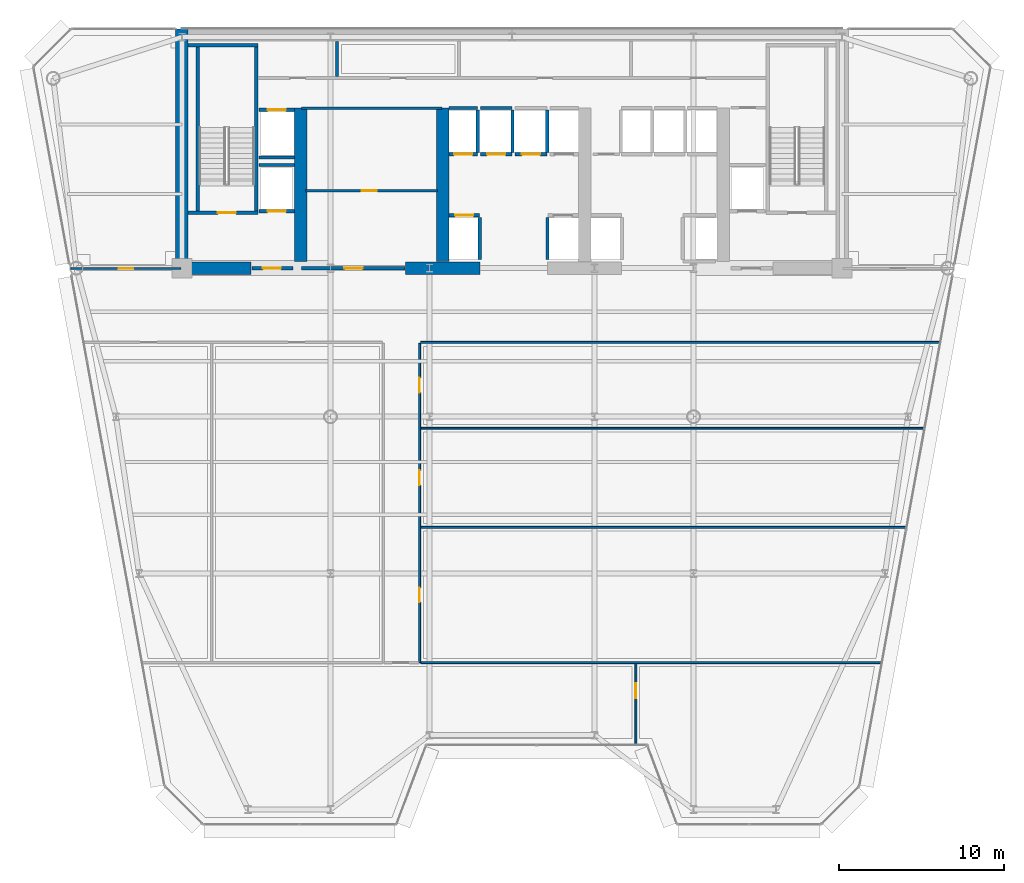
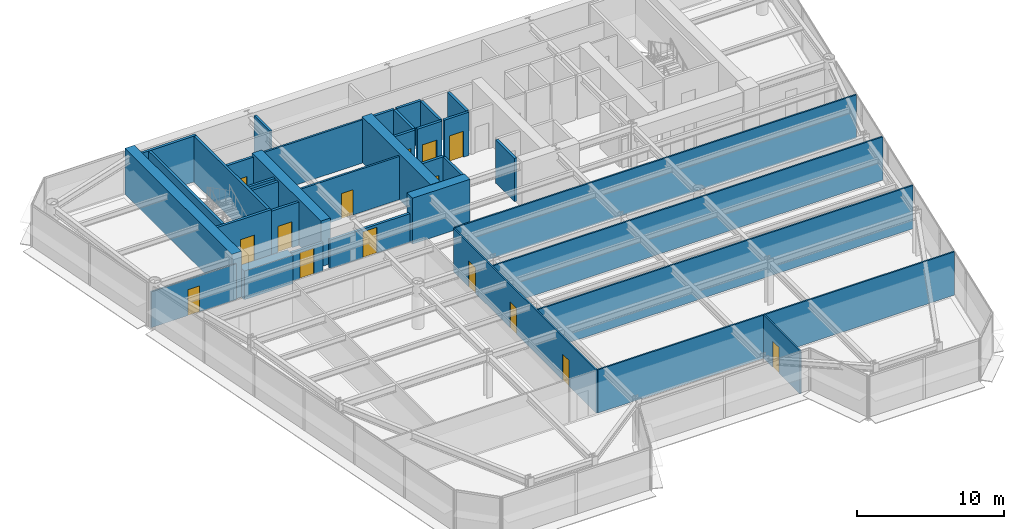
# One storey, part 11 of 17: 36 walls, 15 doors, 15 openings.
"""IFC4 building model written with IfcOpenShell, lengths in metres."""

import ifcopenshell
import ifcopenshell.guid

model = None  # the IFC model being written
_history = None  # IfcOwnerHistory: only IFC2X3 demands one
_inside = {}  # id of a spatial element -> (the spatial element, [elements in it])
_under = {}  # id of a project, library or spatial element -> (it, [spatial elements below it])
_declared = {}  # id of a project -> (the project, [libraries it declares])
_typed = {}  # id of a type object -> (the type object, [elements of that type])
_made_of = {}  # id of a material, layer set ... -> (it, [elements and type objects made of it])


def new_model(schema):
    """Start an empty IFC model of exactly this schema.

    Asked for "IFC4X3", IfcOpenShell would pick the latest addendum, in which some entities
    have other attributes; the version numbers below select the first issue.
    IFC2X3 requires an IfcOwnerHistory on every rooted entity: one is made here for all.
    """
    global model, _history
    if schema == "IFC4X3":
        model = ifcopenshell.file(schema_version=(4, 3, 0, 0))
    else:
        model = ifcopenshell.file(schema=schema)
    _inside.clear()
    _under.clear()
    _declared.clear()
    _typed.clear()
    _made_of.clear()
    _history = None
    if model.schema == "IFC2X3":
        org = make("IfcOrganization", Name="unknown")
        user = make(
            "IfcPersonAndOrganization",
            ThePerson=make("IfcPerson", FamilyName="unknown"),
            TheOrganization=org,
        )
        app = make(
            "IfcApplication",
            ApplicationDeveloper=org,
            Version="unknown",
            ApplicationFullName="unknown",
            ApplicationIdentifier="unknown",
        )
        _history = make(
            "IfcOwnerHistory",
            OwningUser=user,
            OwningApplication=app,
            ChangeAction="ADDED",
            CreationDate=0,
        )
    return model


def make(cls, **values):
    """One entity of the class cls with the attributes given. An attribute that is None is left unset."""
    return model.create_entity(
        cls, **{name: value for name, value in values.items() if value is not None}
    )


def rooted(cls, **values):
    """An entity with a GlobalId (a new one), such as an element, a storey or a relation."""
    return make(cls, GlobalId=ifcopenshell.guid.new(), OwnerHistory=_history, **values)


def si_unit(unit_type, name, prefix=None):
    """IfcSIUnit, for example si_unit("LENGTHUNIT", "METRE", prefix="MILLI")."""
    return make("IfcSIUnit", UnitType=unit_type, Prefix=prefix, Name=name)


def assignment(units):
    """IfcUnitAssignment: the units of a project."""
    return None if units is None else make("IfcUnitAssignment", Units=units)


def point(xyz):
    """IfcCartesianPoint."""
    return None if xyz is None else make("IfcCartesianPoint", Coordinates=xyz)


def direction(xyz):
    """IfcDirection."""
    return None if xyz is None else make("IfcDirection", DirectionRatios=xyz)


def frame(location, z_axis=None, x_axis=None):
    """IfcAxis2Placement3D, a coordinate frame: its origin and axes. An axis left out is left unset."""
    return make(
        "IfcAxis2Placement3D",
        Location=point(location),
        Axis=direction(z_axis),
        RefDirection=direction(x_axis),
    )


def frame_2d(location, x_axis=None):
    """IfcAxis2Placement2D, a coordinate frame in the plane: its origin and x axis."""
    return make(
        "IfcAxis2Placement2D", Location=point(location), RefDirection=direction(x_axis)
    )


def origin():
    """The frame at (0, 0, 0) with its axes left unset."""
    return frame((0.0, 0.0, 0.0))


def place(relative_to, where):
    """IfcLocalPlacement: puts the frame where relative to a parent placement (None: the world)."""
    return make(
        "IfcLocalPlacement", PlacementRelTo=relative_to, RelativePlacement=where
    )


def context(
    kind, dimensions, precision=None, world=None, true_north=None, identifier=None
):
    """IfcGeometricRepresentationContext, for example the 3D "Model" context."""
    return make(
        "IfcGeometricRepresentationContext",
        ContextIdentifier=identifier,
        ContextType=kind,
        CoordinateSpaceDimension=dimensions,
        Precision=precision,
        WorldCoordinateSystem=world,
        TrueNorth=true_north,
    )


def subcontext(parent, identifier, kind, view, scale=None):
    """IfcGeometricRepresentationSubContext, for example "Body" below "Model"."""
    return make(
        "IfcGeometricRepresentationSubContext",
        ContextIdentifier=identifier,
        ContextType=kind,
        ParentContext=parent,
        TargetScale=scale,
        TargetView=view,
    )


def project(units=None, contexts=None):
    """IfcProject with its units and contexts."""
    return rooted(
        "IfcProject",
        Name="project",
        RepresentationContexts=contexts,
        UnitsInContext=assignment(units),
    )


def spatial(cls, under=None, at=None, **own):
    """A site, building, storey or space (cls), placed at a placement, below another one or the project."""
    s = rooted(cls, ObjectPlacement=at, **own)
    if under is not None:
        _under.setdefault(under.id(), (under, []))[1].append(s)
    return s


def profile(cls, at=None, kind="AREA", **sizes):
    """A parametric profile (cls). Its sizes go by their IFC names, for example OverallWidth=200.0."""
    return make(cls, ProfileType=kind, Position=at, **sizes)


def rectangle(**sizes):
    """IfcRectangleProfileDef."""
    return profile("IfcRectangleProfileDef", **sizes)


def extrude(swept, where, along, depth):
    """IfcExtrudedAreaSolid: the profile swept, set in the frame where, extruded along a direction by depth."""
    return make(
        "IfcExtrudedAreaSolid",
        SweptArea=swept,
        Position=where,
        ExtrudedDirection=direction(along),
        Depth=depth,
    )


def shape(context_of_items, identifier, shape_type, items):
    """IfcShapeRepresentation: the items that make up one representation, for example the "Body"."""
    return make(
        "IfcShapeRepresentation",
        ContextOfItems=context_of_items,
        RepresentationIdentifier=identifier,
        RepresentationType=shape_type,
        Items=items,
    )


def source(mapping_origin, context_of_items, identifier, shape_type, items):
    """IfcRepresentationMap: a shape defined once, which mapped items show again and again."""
    return make(
        "IfcRepresentationMap",
        MappingOrigin=mapping_origin,
        MappedRepresentation=shape(context_of_items, identifier, shape_type, items),
    )


def transform(
    local_origin,
    x_axis=None,
    y_axis=None,
    z_axis=None,
    scale=None,
    scale2=None,
    scale3=None,
    uniform=True,
):
    """IfcCartesianTransformationOperator3D, or its non-uniform kind. x_axis, y_axis, z_axis: its Axis1, 2, 3."""
    if uniform:
        return make(
            "IfcCartesianTransformationOperator3D",
            Axis1=direction(x_axis),
            Axis2=direction(y_axis),
            LocalOrigin=point(local_origin),
            Scale=scale,
            Axis3=direction(z_axis),
        )
    return make(
        "IfcCartesianTransformationOperator3DnonUniform",
        Axis1=direction(x_axis),
        Axis2=direction(y_axis),
        LocalOrigin=point(local_origin),
        Scale=scale,
        Axis3=direction(z_axis),
        Scale2=scale2,
        Scale3=scale3,
    )


def mapped(mapping_source, mapping_target):
    """IfcMappedItem: shows the shape of a source again, moved by a transform."""
    return make(
        "IfcMappedItem", MappingSource=mapping_source, MappingTarget=mapping_target
    )


def material(Name=None, Category=None):
    """IfcMaterial."""
    return make("IfcMaterial", Name=Name, Category=Category)


def layer(
    of_material, thickness, ventilated=None, Name=None, Category=None, Priority=None
):
    """IfcMaterialLayer: one layer of a wall or slab, of a material (None: an air gap)."""
    return make(
        "IfcMaterialLayer",
        Material=of_material,
        LayerThickness=thickness,
        IsVentilated=ventilated,
        Name=Name,
        Category=Category,
        Priority=Priority,
    )


def layer_set(layers, Name=None):
    """IfcMaterialLayerSet."""
    return make("IfcMaterialLayerSet", MaterialLayers=layers, LayerSetName=Name)


def made_of(thing, what):
    """Note that an element or type object is made of a material, layer set ...; save() writes the relation."""
    if what is not None:
        _made_of.setdefault(what.id(), (what, []))[1].append(thing)
    return thing


def type_object(cls, material=None, **own):
    """A type object (cls), such as IfcWallType, which elements share."""
    return made_of(rooted(cls, **own), material)


def element(
    cls,
    number,
    at=None,
    inside=None,
    cuts=None,
    type_object=None,
    material=None,
    context=None,
    identifier="Body",
    shape_type=None,
    held_by="IfcProductDefinitionShape",
    body=None,
    shapes=None,
    **own,
):
    """One element of the class cls, such as IfcWall. Its Tag is "e" and its number.

    at: its placement. inside: the storey or other place that contains it. cuts: it is an
    opening in that element (IfcRelVoidsElement). A single representation is given by context,
    identifier, shape_type and body (its items); several are given by shapes. held_by: the class
    of the entity that holds the representations. save() writes the other relations.
    """
    e = rooted(cls, Tag="e%d" % number, ObjectPlacement=at, **own)
    if body is not None:
        shapes = [shape(context, identifier, shape_type, body)]
    if shapes is not None:
        e.Representation = make(held_by, Representations=shapes)
    if inside is not None:
        _inside.setdefault(inside.id(), (inside, []))[1].append(e)
    if cuts is not None:
        rooted(
            "IfcRelVoidsElement", RelatingBuildingElement=cuts, RelatedOpeningElement=e
        )
    if type_object is not None:
        _typed.setdefault(type_object.id(), (type_object, []))[1].append(e)
    return made_of(e, material)


def fill(opening, filler):
    """IfcRelFillsElement: the door or window that sits in an opening."""
    return rooted(
        "IfcRelFillsElement",
        RelatingOpeningElement=opening,
        RelatedBuildingElement=filler,
    )


def aggregate(whole, parts):
    """IfcRelAggregates: a whole, such as a stair, and the parts it consists of."""
    return rooted("IfcRelAggregates", RelatingObject=whole, RelatedObjects=parts)


def save(model, path):
    """Write the relations noted so far, then the file.

    IfcRelAggregates (storeys below a building ...), IfcRelContainedInSpatialStructure (elements
    in a storey), IfcRelDefinesByType, IfcRelAssociatesMaterial and IfcRelDeclares: one each for
    every whole, place, type object, material and project.
    """
    for whole, parts in _under.values():
        aggregate(whole, parts)
    for where, things in _inside.values():
        rooted(
            "IfcRelContainedInSpatialStructure",
            RelatedElements=things,
            RelatingStructure=where,
        )
    for kind, things in _typed.values():
        rooted("IfcRelDefinesByType", RelatedObjects=things, RelatingType=kind)
    for what, things in _made_of.values():
        rooted("IfcRelAssociatesMaterial", RelatedObjects=things, RelatingMaterial=what)
    for by, libraries in _declared.values():
        rooted("IfcRelDeclares", RelatingContext=by, RelatedDefinitions=libraries)
    model.write(path)


model = new_model("IFC4")

# Units and contexts
model_context = context("Model", 3, precision=1e-05, world=origin(), true_north=direction((0.0, 1.0)))
body_context = subcontext(model_context, "Body", "Model", "MODEL_VIEW")
ifc_project = project(units=[si_unit("LENGTHUNIT", "METRE"), si_unit("AREAUNIT", "SQUARE_METRE"), si_unit("VOLUMEUNIT", "CUBIC_METRE"), si_unit("PLANEANGLEUNIT", "RADIAN"), si_unit("MASSUNIT", "GRAM", prefix="KILO")], contexts=[model_context])

# Site, building, storey
site_placement = place(None, origin())
site = spatial("IfcSite", under=ifc_project, at=site_placement, CompositionType="ELEMENT")
building_placement = place(site_placement, origin())
building = spatial("IfcBuilding", under=site, at=building_placement, Name="Vaeldorn Concourse Tower", CompositionType="ELEMENT")
storey_placement = place(building_placement, frame((0.0, 0.0, 161.39990234375)))
storey = spatial("IfcBuildingStorey", under=building, at=storey_placement, Name="L41", CompositionType="ELEMENT", Elevation=161.39990234375)

# Walls
ifc_material_1 = material(Name="Concrete C60/75", Category="concrete")
ifc_layer_1 = layer(ifc_material_1, 0.75)
ifc_layer_set_1 = layer_set([ifc_layer_1], Name="Concrete C60/75")
wall_type_1 = type_object("IfcWallType", Name="WL-CORE-750", PredefinedType="SHEAR", material=ifc_layer_set_1)
wall_1_placement = place(storey_placement, frame((14.0, 36.5, 0.0), z_axis=(0.0, 0.0, 1.0), x_axis=(0.0, 1.0, 0.0)))
element("IfcWall", 1, at=wall_1_placement, inside=storey, type_object=wall_type_1, Name="Rear Core Shear Wall L41 W1", PredefinedType="SHEAR", context=body_context, shape_type="SweptSolid", body=[
    extrude(rectangle(XDim=14.5, YDim=0.75, at=frame_2d((7.25, 0.0))), origin(), (0.0, 0.0, 1.0), 3.800048828125),
])
wall_2_placement = place(storey_placement, frame((14.39501953125, 36.5, 0.0), z_axis=(0.0, 0.0, 1.0), x_axis=(1.0, 0.0, 0.0)))
element("IfcWall", 2, at=wall_2_placement, inside=storey, type_object=wall_type_1, Name="Rear Core Shear Wall L41 S1", PredefinedType="SHEAR", context=body_context, shape_type="SweptSolid", body=[
    extrude(rectangle(XDim=3.804931640625, YDim=0.75, at=frame_2d((1.90234375, 0.0))), origin(), (0.0, 0.0, 1.0), 2.380126953125),
])
wall_3_placement = place(storey_placement, frame((27.550048828125, 36.5, 0.0), z_axis=(0.0, 0.0, 1.0), x_axis=(1.0, 0.0, 0.0)))
element("IfcWall", 3, at=wall_3_placement, inside=storey, type_object=wall_type_1, Name="Rear Core Shear Wall L41 S2", PredefinedType="SHEAR", context=body_context, shape_type="SweptSolid", body=[
    extrude(rectangle(XDim=4.5, YDim=0.75, at=frame_2d((2.25, 0.0))), origin(), (0.0, 0.0, 1.0), 3.800048828125),
])
for number, where, z_axis, x_axis, name in (
    (4, (21.199951171875, 36.89501953125, 0.0), (0.0, 0.0, 1.0), (0.0, 1.0, 0.0), "Rear Core Shear Wall L41 M1"),
    (5, (29.800048828125, 36.89501953125, 0.0), (0.0, 0.0, 1.0), (0.0, 1.0, 0.0), "Rear Core Shear Wall L41 M2"),
):
    element("IfcWall", number, at=place(storey_placement, frame(where, z_axis=z_axis, x_axis=x_axis)), inside=storey, type_object=wall_type_1, Name=name, PredefinedType="SHEAR", context=body_context, shape_type="SweptSolid", body=[
        extrude(rectangle(XDim=9.304931640625, YDim=0.75, at=frame_2d((4.65234375, 0.0))), origin(), (0.0, 0.0, 1.0), 3.800048828125),
    ])
ifc_material_2 = material(Name="Gypsum Board Partition", Category="gypsum")
ifc_layer_2 = layer(ifc_material_2, 0.1201171875)
ifc_layer_set_2 = layer_set([ifc_layer_2], Name="Gypsum Board Partition")
wall_type_2 = type_object("IfcWallType", Name="WL-PART-120", PredefinedType="PARTITIONING", material=ifc_layer_set_2)
wall_4_placement = place(storey_placement, frame((28.4599609375, 32.0, 0.0), z_axis=(0.0, 0.0, 1.0), x_axis=(1.0, 0.0, 0.0)))
element("IfcWall", 6, at=wall_4_placement, inside=storey, type_object=wall_type_2, Name="Interior Wall PW-L41-C2SE", PredefinedType="PARTITIONING", context=body_context, shape_type="SweptSolid", body=[
    extrude(rectangle(XDim=31.453857421875, YDim=0.1201171875, at=frame_2d((15.72705078125, 0.0))), origin(), (0.0, 0.0, 1.0), 3.580078125),
])

# Wall, openings, doors
wall_5_placement = place(storey_placement, frame((28.39990234375, 12.60009765625, 0.0), z_axis=(0.0, 0.0, 1.0), x_axis=(0.0, 1.0, 0.0)))
wall_5 = element("IfcWall", 7, at=wall_5_placement, inside=storey, type_object=wall_type_2, Name="Interior Wall PW-L41-SP2E", PredefinedType="PARTITIONING", context=body_context, shape_type="SweptSolid", body=[
    extrude(rectangle(XDim=19.33984375, YDim=0.1201171875, at=frame_2d((9.669921875, 0.0))), origin(), (0.0, 0.0, 1.0), 3.580078125),
])
opening_1_placement = place(wall_5_placement, frame((3.64990234375, 0.0, 0.0)))
opening_1 = element("IfcOpeningElement", 8, at=opening_1_placement, cuts=wall_5, Name="Opening D-03", PredefinedType="OPENING", context=body_context, shape_type="SweptSolid", body=[
    extrude(rectangle(XDim=0.89990234375, YDim=2.14990234375, at=frame_2d((0.449951171875, 1.074951171875))), frame((0.0, 0.070068359375, 0.0), z_axis=(0.0, -1.0, 0.0), x_axis=(1.0, 0.0, 0.0)), (0.0, 0.0, 1.0), 0.14013671875),
])
opening_2_placement = place(wall_5_placement, frame((10.75, 0.0, 0.0)))
opening_2 = element("IfcOpeningElement", 9, at=opening_2_placement, cuts=wall_5, Name="Opening D-03", PredefinedType="OPENING", context=body_context, shape_type="SweptSolid", body=[
    extrude(rectangle(XDim=0.89990234375, YDim=2.14990234375, at=frame_2d((0.449951171875, 1.074951171875))), frame((0.0, 0.070068359375, 0.0), z_axis=(0.0, -1.0, 0.0), x_axis=(1.0, 0.0, 0.0)), (0.0, 0.0, 1.0), 0.14013671875),
])
opening_3_placement = place(wall_5_placement, frame((16.35009765625, 0.0, 0.0)))
opening_3 = element("IfcOpeningElement", 10, at=opening_3_placement, cuts=wall_5, Name="Opening D-03", PredefinedType="OPENING", context=body_context, shape_type="SweptSolid", body=[
    extrude(rectangle(XDim=0.89990234375, YDim=2.14990234375, at=frame_2d((0.449951171875, 1.074951171875))), frame((0.0, 0.070068359375, 0.0), z_axis=(0.0, -1.0, 0.0), x_axis=(1.0, 0.0, 0.0)), (0.0, 0.0, 1.0), 0.14013671875),
])
ifc_material_3 = material(Name="Acoustic Bronze-Framed Glass Door", Category="glass")
door_type_1 = type_object("IfcDoorType", Name="DR-INT-900", OperationType="NOTDEFINED", PredefinedType="DOOR", material=ifc_material_3)
shared_shape_1 = source(origin(), body_context, "Body", "SweptSolid", [
    extrude(rectangle(XDim=0.89990234375, YDim=2.14990234375, at=frame_2d((0.449951171875, 1.074951171875))), frame((0.0, 0.02490234375, 0.0), z_axis=(0.0, -1.0, 0.0), x_axis=(1.0, 0.0, 0.0)), (0.0, 0.0, 1.0), 0.050048828125),
])
door_1_placement = place(opening_1_placement, origin())
door_1 = element("IfcDoor", 11, at=door_1_placement, inside=storey, type_object=door_type_1, Name="Interior Door DR-L41-Z2E1", OperationType="SINGLE_SWING_RIGHT", OverallHeight=2.14990234375, OverallWidth=0.89990234375, PredefinedType="DOOR", context=body_context, shape_type="MappedRepresentation", body=[
    mapped(shared_shape_1, transform((0.0, 0.0, 0.0), scale=1.0)),
])
fill(opening_1, door_1)
door_2_placement = place(opening_2_placement, origin())
door_2 = element("IfcDoor", 12, at=door_2_placement, inside=storey, type_object=door_type_1, Name="Interior Door DR-L41-Z2E2", OperationType="SINGLE_SWING_LEFT", OverallHeight=2.14990234375, OverallWidth=0.89990234375, PredefinedType="DOOR", context=body_context, shape_type="MappedRepresentation", body=[
    mapped(shared_shape_1, transform((0.0, 0.0, 0.0), scale=1.0)),
])
fill(opening_2, door_2)
door_3_placement = place(opening_3_placement, origin())
door_3 = element("IfcDoor", 13, at=door_3_placement, inside=storey, type_object=door_type_1, Name="Interior Door DR-L41-Z2E3", OperationType="SINGLE_SWING_RIGHT", OverallHeight=2.14990234375, OverallWidth=0.89990234375, PredefinedType="DOOR", context=body_context, shape_type="MappedRepresentation", body=[
    mapped(shared_shape_1, transform((0.0, 0.0, 0.0), scale=1.0)),
])
fill(opening_3, door_3)

# Wall, opening, door
wall_6_placement = place(storey_placement, frame((7.2744140625, 36.47998046875, 0.0), z_axis=(0.0, 0.0, 1.0), x_axis=(1.0, 0.0, 0.0)))
wall_6 = element("IfcWall", 14, at=wall_6_placement, inside=storey, type_object=wall_type_2, Name="Interior Wall PW-L41-NWS", PredefinedType="PARTITIONING", context=body_context, shape_type="SweptSolid", body=[
    extrude(rectangle(XDim=6.66552734375, YDim=0.1201171875, at=frame_2d((3.332763671875, 0.0))), origin(), (0.0, 0.0, 1.0), 2.97021484375),
])
opening_4_placement = place(wall_6_placement, frame((2.883056640625, 0.0, 0.0)))
opening_4 = element("IfcOpeningElement", 15, at=opening_4_placement, cuts=wall_6, Name="Opening D-03", PredefinedType="OPENING", context=body_context, shape_type="SweptSolid", body=[
    extrude(rectangle(XDim=0.89990234375, YDim=2.14990234375, at=frame_2d((0.449951171875, 1.074951171875))), frame((0.0, 0.070068359375, 0.0), z_axis=(0.0, -1.0, 0.0), x_axis=(1.0, 0.0, 0.0)), (0.0, 0.0, 1.0), 0.14013671875),
])
door_4_placement = place(opening_4_placement, origin())
door_4 = element("IfcDoor", 16, at=door_4_placement, inside=storey, type_object=door_type_1, Name="Interior Door DR-L41-NWC", OperationType="SINGLE_SWING_LEFT", OverallHeight=2.14990234375, OverallWidth=0.89990234375, PredefinedType="DOOR", context=body_context, shape_type="MappedRepresentation", body=[
    mapped(shared_shape_1, transform((0.0, 0.0, 0.0), scale=1.0)),
])
fill(opening_4, door_4)

# Wall
wall_7_placement = place(storey_placement, frame((28.4599609375, 12.60009765625, 0.0), z_axis=(0.0, 0.0, 1.0), x_axis=(1.0, 0.0, 0.0)))
element("IfcWall", 17, at=wall_7_placement, inside=storey, type_object=wall_type_2, Name="Interior Wall PW-L41-S2EL", PredefinedType="PARTITIONING", context=body_context, shape_type="SweptSolid", body=[
    extrude(rectangle(XDim=27.9150390625, YDim=0.1201171875, at=frame_2d((13.95751953125, 0.0))), origin(), (0.0, 0.0, 1.0), 3.580078125),
])

# Wall, opening, door
wall_8_placement = place(storey_placement, frame((41.5, 7.639892578125, 0.0), z_axis=(0.0, 0.0, 1.0), x_axis=(0.0, 1.0, 0.0)))
wall_8 = element("IfcWall", 18, at=wall_8_placement, inside=storey, type_object=wall_type_2, Name="Interior Wall PW-L41-Z2SFX1", PredefinedType="PARTITIONING", context=body_context, shape_type="SweptSolid", body=[
    extrude(rectangle(XDim=4.900146484375, YDim=0.1201171875, at=frame_2d((2.4501953125, 0.0))), origin(), (0.0, 0.0, 1.0), 3.580078125),
])
opening_5_placement = place(wall_8_placement, frame((2.800048828125, 0.0, 0.0)))
opening_5 = element("IfcOpeningElement", 19, at=opening_5_placement, cuts=wall_8, Name="Opening D-03", PredefinedType="OPENING", context=body_context, shape_type="SweptSolid", body=[
    extrude(rectangle(XDim=0.89990234375, YDim=2.14990234375, at=frame_2d((0.449951171875, 1.074951171875))), frame((0.0, 0.070068359375, 0.0), z_axis=(0.0, -1.0, 0.0), x_axis=(1.0, 0.0, 0.0)), (0.0, 0.0, 1.0), 0.14013671875),
])
door_5_placement = place(opening_5_placement, origin())
door_5 = element("IfcDoor", 20, at=door_5_placement, inside=storey, type_object=door_type_1, Name="Interior Door DR-L41-Z2SFX1", OperationType="SINGLE_SWING_RIGHT", OverallHeight=2.14990234375, OverallWidth=0.89990234375, PredefinedType="DOOR", context=body_context, shape_type="MappedRepresentation", body=[
    mapped(shared_shape_1, transform((0.0, 0.0, 0.0), scale=1.0)),
])
fill(opening_5, door_5)

# Walls
wall_9_placement = place(storey_placement, frame((28.4599609375, 20.800048828125, 0.0), z_axis=(0.0, 0.0, 1.0), x_axis=(1.0, 0.0, 0.0)))
element("IfcWall", 21, at=wall_9_placement, inside=storey, type_object=wall_type_2, Name="Interior Wall PW-L41-Z2EY1", PredefinedType="PARTITIONING", context=body_context, shape_type="SweptSolid", body=[
    extrude(rectangle(XDim=29.410888671875, YDim=0.1201171875, at=frame_2d((14.70556640625, 0.0))), origin(), (0.0, 0.0, 1.0), 3.580078125),
])
wall_10_placement = place(storey_placement, frame((28.4599609375, 26.800048828125, 0.0), z_axis=(0.0, 0.0, 1.0), x_axis=(1.0, 0.0, 0.0)))
element("IfcWall", 22, at=wall_10_placement, inside=storey, type_object=wall_type_2, Name="Interior Wall PW-L41-Z2EY2", PredefinedType="PARTITIONING", context=body_context, shape_type="SweptSolid", body=[
    extrude(rectangle(XDim=30.50537109375, YDim=0.1201171875, at=frame_2d((15.252685546875, 0.0))), origin(), (0.0, 0.0, 1.0), 3.580078125),
])
ifc_layer_3 = layer(ifc_material_2, 0.14990234375)
ifc_layer_set_3 = layer_set([ifc_layer_3], Name="Gypsum Board Partition")
wall_type_3 = type_object("IfcWallType", Name="WL-PART-150", PredefinedType="PARTITIONING", material=ifc_layer_set_3)
wall_11_placement = place(storey_placement, frame((21.25, 46.199951171875, 0.0), z_axis=(0.0, 0.0, 1.0), x_axis=(1.0, 0.0, 0.0)))
element("IfcWall", 23, at=wall_11_placement, inside=storey, type_object=wall_type_3, Name="Interior Wall CW-L41-R1N", PredefinedType="PARTITIONING", context=body_context, shape_type="SweptSolid", body=[
    extrude(rectangle(XDim=8.5, YDim=0.14990234375, at=frame_2d((4.25, 0.0))), origin(), (0.0, 0.0, 1.0), 3.580078125),
])

# Wall, opening, door
wall_12_placement = place(storey_placement, frame((21.5, 41.199951171875, 0.0), z_axis=(0.0, 0.0, 1.0), x_axis=(1.0, 0.0, 0.0)))
wall_12 = element("IfcWall", 24, at=wall_12_placement, inside=storey, type_object=wall_type_3, Name="Interior Wall CW-L41-R1M", PredefinedType="PARTITIONING", context=body_context, shape_type="SweptSolid", body=[
    extrude(rectangle(XDim=8.0, YDim=0.14990234375, at=frame_2d((4.0, 0.0))), origin(), (0.0, 0.0, 1.0), 3.580078125),
])
opening_6_placement = place(wall_12_placement, frame((3.39990234375, 0.0, 0.0)))
opening_6 = element("IfcOpeningElement", 25, at=opening_6_placement, cuts=wall_12, Name="Opening D-02", PredefinedType="OPENING", context=body_context, shape_type="SweptSolid", body=[
    extrude(rectangle(XDim=0.89990234375, YDim=2.10009765625, at=frame_2d((0.449951171875, 1.050048828125))), frame((0.0, 0.0849609375, 0.0), z_axis=(0.0, -1.0, 0.0), x_axis=(1.0, 0.0, 0.0)), (0.0, 0.0, 1.0), 0.169921875),
])
ifc_material_4 = material(Name="Fire-Rated Timber Leaf", Category="wood")
door_type_2 = type_object("IfcDoorType", Name="DR-FD30-900", OperationType="NOTDEFINED", PredefinedType="DOOR", material=ifc_material_4)
shared_shape_2 = source(origin(), body_context, "Body", "SweptSolid", [
    extrude(rectangle(XDim=0.89990234375, YDim=2.10009765625, at=frame_2d((0.449951171875, 1.050048828125))), frame((0.0, 0.02490234375, 0.0), z_axis=(0.0, -1.0, 0.0), x_axis=(1.0, 0.0, 0.0)), (0.0, 0.0, 1.0), 0.050048828125),
])
door_6_placement = place(opening_6_placement, origin())
door_6 = element("IfcDoor", 26, at=door_6_placement, inside=storey, type_object=door_type_2, Name="Interior Door DR-L41-R1M", OperationType="SINGLE_SWING_RIGHT", OverallHeight=2.10009765625, OverallWidth=0.89990234375, PredefinedType="DOOR", context=body_context, shape_type="MappedRepresentation", body=[
    mapped(shared_shape_2, transform((0.0, 0.0, 0.0), scale=1.0)),
])
fill(opening_6, door_6)

# Wall
ifc_layer_4 = layer(ifc_material_2, 0.179931640625)
ifc_layer_set_4 = layer_set([ifc_layer_4], Name="Gypsum Board Partition")
wall_type_4 = type_object("IfcWallType", Name="WL-PLUMB-180", PredefinedType="PLUMBINGWALL", material=ifc_layer_set_4)
wall_13_placement = place(storey_placement, frame((23.39990234375, 48.10009765625, 0.0), z_axis=(0.0, 0.0, 1.0), x_axis=(0.0, 1.0, 0.0)))
element("IfcWall", 27, at=wall_13_placement, inside=storey, type_object=wall_type_4, Name="Interior Wall CW-L41-NDIV1", PredefinedType="PLUMBINGWALL", context=body_context, shape_type="SweptSolid", body=[
    extrude(rectangle(XDim=2.1298828125, YDim=0.179931640625, at=frame_2d((1.06494140625, 0.0))), origin(), (0.0, 0.0, 1.0), 3.580078125),
])

# Wall, opening, door
ifc_material_5 = material(Name="Concrete C50/60", Category="concrete")
ifc_layer_5 = layer(ifc_material_5, 0.199951171875)
ifc_layer_set_5 = layer_set([ifc_layer_5], Name="Concrete C50/60")
wall_type_5 = type_object("IfcWallType", Name="WL-SHAFT-200", PredefinedType="SOLIDWALL", material=ifc_layer_set_5)
wall_14_placement = place(storey_placement, frame((14.375, 39.85009765625, 0.0), z_axis=(0.0, 0.0, 1.0), x_axis=(1.0, 0.0, 0.0)))
wall_14 = element("IfcWall", 28, at=wall_14_placement, inside=storey, type_object=wall_type_5, Name="Stair Shaft Wall CW-L41-ST-1-S", PredefinedType="SOLIDWALL", context=body_context, shape_type="SweptSolid", body=[
    extrude(rectangle(XDim=4.22509765625, YDim=0.199951171875, at=frame_2d((2.112548828125, 0.0))), origin(), (0.0, 0.0, 1.0), 3.800048828125),
])
opening_7_placement = place(wall_14_placement, frame((1.800048828125, 0.0, 0.0)))
opening_7 = element("IfcOpeningElement", 29, at=opening_7_placement, cuts=wall_14, Name="Opening D-01", PredefinedType="OPENING", context=body_context, shape_type="SweptSolid", body=[
    extrude(rectangle(XDim=1.10009765625, YDim=2.14990234375, at=frame_2d((0.550048828125, 1.074951171875))), frame((0.0, 0.10986328125, 0.0), z_axis=(0.0, -1.0, 0.0), x_axis=(1.0, 0.0, 0.0)), (0.0, 0.0, 1.0), 0.219970703125),
])
ifc_material_6 = material(Name="Fire-Rated Timber and Steel Leaf", Category="steel")
door_type_3 = type_object("IfcDoorType", Name="DR-FD60-1100", OperationType="NOTDEFINED", PredefinedType="DOOR", material=ifc_material_6)
shared_shape_3 = source(origin(), body_context, "Body", "SweptSolid", [
    extrude(rectangle(XDim=1.10009765625, YDim=2.14990234375, at=frame_2d((0.550048828125, 1.074951171875))), frame((0.0, 0.02490234375, 0.0), z_axis=(0.0, -1.0, 0.0), x_axis=(1.0, 0.0, 0.0)), (0.0, 0.0, 1.0), 0.050048828125),
])
door_7_placement = place(opening_7_placement, origin())
door_7 = element("IfcDoor", 30, at=door_7_placement, inside=storey, type_object=door_type_3, Name="Interior Door DR-L41-ST-1", OperationType="SINGLE_SWING_LEFT", OverallHeight=2.14990234375, OverallWidth=1.10009765625, PredefinedType="DOOR", context=body_context, shape_type="MappedRepresentation", body=[
    mapped(shared_shape_3, transform((0.0, 0.0, 0.0), scale=1.0)),
])
fill(opening_7, door_7)

# Walls
wall_15_placement = place(storey_placement, frame((14.375, 50.0, 0.0), z_axis=(0.0, 0.0, 1.0), x_axis=(1.0, 0.0, 0.0)))
element("IfcWall", 31, at=wall_15_placement, inside=storey, type_object=wall_type_5, Name="Stair Shaft Wall CW-L41-ST-1-N", PredefinedType="SOLIDWALL", context=body_context, shape_type="SweptSolid", body=[
    extrude(rectangle(XDim=4.22509765625, YDim=0.199951171875, at=frame_2d((2.112548828125, 0.0))), origin(), (0.0, 0.0, 1.0), 3.800048828125),
])
for number, where, z_axis, x_axis, name in (
    (32, (14.949951171875, 39.9599609375, 0.0), (0.0, 0.0, 1.0), (0.0, 1.0, 0.0), "Stair Shaft Wall CW-L41-ST-1-W"),
    (33, (18.5, 39.9599609375, 0.0), (0.0, 0.0, 1.0), (0.0, 1.0, 0.0), "Stair Shaft Wall CW-L41-ST-1-E"),
):
    element("IfcWall", number, at=place(storey_placement, frame(where, z_axis=z_axis, x_axis=x_axis)), inside=storey, type_object=wall_type_5, Name=name, PredefinedType="SOLIDWALL", context=body_context, shape_type="SweptSolid", body=[
        extrude(rectangle(XDim=9.929931640625, YDim=0.199951171875, at=frame_2d((4.96484375, 0.0))), origin(), (0.0, 0.0, 1.0), 3.800048828125),
    ])

# Wall, opening, door
wall_16_placement = place(storey_placement, frame((18.25, 36.5, 0.0), z_axis=(0.0, 0.0, 1.0), x_axis=(1.0, 0.0, 0.0)))
wall_16 = element("IfcWall", 34, at=wall_16_placement, inside=storey, type_object=wall_type_5, Name="Interior Wall CW-L41-FF1S", PredefinedType="SOLIDWALL", context=body_context, shape_type="SweptSolid", body=[
    extrude(rectangle(XDim=2.469970703125, YDim=0.199951171875, at=frame_2d((1.23486328125, 0.0))), origin(), (0.0, 0.0, 1.0), 2.3701171875),
])
opening_8_placement = place(wall_16_placement, frame((0.64990234375, 0.0, 0.0)))
opening_8 = element("IfcOpeningElement", 35, at=opening_8_placement, cuts=wall_16, Name="Opening D-01", PredefinedType="OPENING", context=body_context, shape_type="SweptSolid", body=[
    extrude(rectangle(XDim=1.10009765625, YDim=2.14990234375, at=frame_2d((0.550048828125, 1.074951171875))), frame((0.0, 0.10986328125, 0.0), z_axis=(0.0, -1.0, 0.0), x_axis=(1.0, 0.0, 0.0)), (0.0, 0.0, 1.0), 0.219970703125),
])
door_8_placement = place(opening_8_placement, origin())
door_8 = element("IfcDoor", 36, at=door_8_placement, inside=storey, type_object=door_type_3, Name="Interior Door DR-L41-FF1E", OperationType="SINGLE_SWING_RIGHT", OverallHeight=2.14990234375, OverallWidth=1.10009765625, PredefinedType="DOOR", context=body_context, shape_type="MappedRepresentation", body=[
    mapped(shared_shape_3, transform((0.0, 0.0, 0.0), scale=1.0)),
])
fill(opening_8, door_8)

wall_17_placement = place(storey_placement, frame((30.18505859375, 39.699951171875, 0.0), z_axis=(0.0, 0.0, 1.0), x_axis=(1.0, 0.0, 0.0)))
wall_17 = element("IfcWall", 37, at=wall_17_placement, inside=storey, type_object=wall_type_5, Name="Interior Wall CW-L41-LF-LF-07", PredefinedType="SOLIDWALL", context=body_context, shape_type="SweptSolid", body=[
    extrude(rectangle(XDim=1.844970703125, YDim=0.199951171875, at=frame_2d((0.92236328125, 0.0))), origin(), (0.0, 0.0, 1.0), 3.580078125),
])
opening_9_placement = place(wall_17_placement, frame((0.373046875, 0.0, 0.0)))
opening_9 = element("IfcOpeningElement", 38, at=opening_9_placement, cuts=wall_17, Name="Opening LD-1", PredefinedType="OPENING", context=body_context, shape_type="SweptSolid", body=[
    extrude(rectangle(XDim=1.10009765625, YDim=2.14990234375, at=frame_2d((0.550048828125, 1.074951171875))), frame((0.0, 0.10986328125, 0.0), z_axis=(0.0, -1.0, 0.0), x_axis=(1.0, 0.0, 0.0)), (0.0, 0.0, 1.0), 0.219970703125),
])
ifc_material_7 = material(Name="Anodised Bronze Aluminium", Category="aluminium")
door_type_4 = type_object("IfcDoorType", Name="DR-LIFT-SLIDE-1100", OperationType="DOUBLE_DOOR_SLIDING", PredefinedType="DOOR", material=ifc_material_7)
door_9_placement = place(opening_9_placement, origin())
door_9 = element("IfcDoor", 39, at=door_9_placement, inside=storey, type_object=door_type_4, Name="Lift Landing Door LD-L41-LF-07", OperationType="DOUBLE_DOOR_SLIDING", OverallHeight=2.14990234375, OverallWidth=1.10009765625, PredefinedType="DOOR", context=body_context, shape_type="MappedRepresentation", body=[
    mapped(shared_shape_3, transform((0.0, 0.0, 0.0), scale=1.0)),
])
fill(opening_9, door_9)

# Walls
for number, where, z_axis, x_axis, name in (
    (40, (32.050048828125, 37.02001953125, 0.0), (0.0, 0.0, 1.0), (0.0, 1.0, 0.0), "Interior Wall CW-L41-LFE-LF-07"),
    (41, (36.14990234375, 37.02001953125, 0.0), (0.0, 0.0, 1.0), (0.0, 1.0, 0.0), "Interior Wall CW-L41-LFW-LF-08"),
):
    element("IfcWall", number, at=place(storey_placement, frame(where, z_axis=z_axis, x_axis=x_axis)), inside=storey, type_object=wall_type_5, Name=name, PredefinedType="SOLIDWALL", context=body_context, shape_type="SweptSolid", body=[
        extrude(rectangle(XDim=2.56005859375, YDim=0.199951171875, at=frame_2d((1.280029296875, 0.0))), origin(), (0.0, 0.0, 1.0), 3.580078125),
    ])

# Wall, opening, door
wall_18_placement = place(storey_placement, frame((30.18505859375, 43.39990234375, 0.0), z_axis=(0.0, 0.0, 1.0), x_axis=(1.0, 0.0, 0.0)))
wall_18 = element("IfcWall", 42, at=wall_18_placement, inside=storey, type_object=wall_type_5, Name="Interior Wall CW-L41-LF-LF-09", PredefinedType="SOLIDWALL", context=body_context, shape_type="SweptSolid", body=[
    extrude(rectangle(XDim=1.724853515625, YDim=0.199951171875, at=frame_2d((0.8623046875, 0.0))), origin(), (0.0, 0.0, 1.0), 3.580078125),
])
opening_10_placement = place(wall_18_placement, frame((0.31298828125, 0.0, 0.0)))
opening_10 = element("IfcOpeningElement", 43, at=opening_10_placement, cuts=wall_18, Name="Opening LD-1", PredefinedType="OPENING", context=body_context, shape_type="SweptSolid", body=[
    extrude(rectangle(XDim=1.10009765625, YDim=2.14990234375, at=frame_2d((0.550048828125, 1.074951171875))), frame((0.0, 0.10986328125, 0.0), z_axis=(0.0, -1.0, 0.0), x_axis=(1.0, 0.0, 0.0)), (0.0, 0.0, 1.0), 0.219970703125),
])
door_10_placement = place(opening_10_placement, origin())
door_10 = element("IfcDoor", 44, at=door_10_placement, inside=storey, type_object=door_type_4, Name="Lift Landing Door LD-L41-LF-09", OperationType="DOUBLE_DOOR_SLIDING", OverallHeight=2.14990234375, OverallWidth=1.10009765625, PredefinedType="DOOR", context=body_context, shape_type="MappedRepresentation", body=[
    mapped(shared_shape_3, transform((0.0, 0.0, 0.0), scale=1.0)),
])
fill(opening_10, door_10)

# Walls
wall_19_placement = place(storey_placement, frame((30.18505859375, 46.199951171875, 0.0), z_axis=(0.0, 0.0, 1.0), x_axis=(1.0, 0.0, 0.0)))
element("IfcWall", 45, at=wall_19_placement, inside=storey, type_object=wall_type_5, Name="Interior Wall CW-L41-LFB-LF-09", PredefinedType="SOLIDWALL", context=body_context, shape_type="SweptSolid", body=[
    extrude(rectangle(XDim=1.724853515625, YDim=0.199951171875, at=frame_2d((0.8623046875, 0.0))), origin(), (0.0, 0.0, 1.0), 3.580078125),
])
wall_20_placement = place(storey_placement, frame((31.929931640625, 43.52001953125, 0.0), z_axis=(0.0, 0.0, 1.0), x_axis=(0.0, 1.0, 0.0)))
element("IfcWall", 46, at=wall_20_placement, inside=storey, type_object=wall_type_5, Name="Interior Wall CW-L41-LFE-LF-09", PredefinedType="SOLIDWALL", context=body_context, shape_type="SweptSolid", body=[
    extrude(rectangle(XDim=2.56005859375, YDim=0.199951171875, at=frame_2d((1.280029296875, 0.0))), origin(), (0.0, 0.0, 1.0), 3.580078125),
])

# Wall, opening, door
wall_21_placement = place(storey_placement, frame((32.090087890625, 43.39990234375, 0.0), z_axis=(0.0, 0.0, 1.0), x_axis=(1.0, 0.0, 0.0)))
wall_21 = element("IfcWall", 47, at=wall_21_placement, inside=storey, type_object=wall_type_5, Name="Interior Wall CW-L41-LF-LF-10", PredefinedType="SOLIDWALL", context=body_context, shape_type="SweptSolid", body=[
    extrude(rectangle(XDim=1.919921875, YDim=0.199951171875, at=frame_2d((0.9599609375, 0.0))), origin(), (0.0, 0.0, 1.0), 3.580078125),
])
opening_11_placement = place(wall_21_placement, frame((0.409912109375, 0.0, 0.0)))
opening_11 = element("IfcOpeningElement", 48, at=opening_11_placement, cuts=wall_21, Name="Opening LD-1", PredefinedType="OPENING", context=body_context, shape_type="SweptSolid", body=[
    extrude(rectangle(XDim=1.10009765625, YDim=2.14990234375, at=frame_2d((0.550048828125, 1.074951171875))), frame((0.0, 0.10986328125, 0.0), z_axis=(0.0, -1.0, 0.0), x_axis=(1.0, 0.0, 0.0)), (0.0, 0.0, 1.0), 0.219970703125),
])
door_11_placement = place(opening_11_placement, origin())
door_11 = element("IfcDoor", 49, at=door_11_placement, inside=storey, type_object=door_type_4, Name="Lift Landing Door LD-L41-LF-10", OperationType="DOUBLE_DOOR_SLIDING", OverallHeight=2.14990234375, OverallWidth=1.10009765625, PredefinedType="DOOR", context=body_context, shape_type="MappedRepresentation", body=[
    mapped(shared_shape_3, transform((0.0, 0.0, 0.0), scale=1.0)),
])
fill(opening_11, door_11)

# Walls
wall_22_placement = place(storey_placement, frame((32.090087890625, 46.199951171875, 0.0), z_axis=(0.0, 0.0, 1.0), x_axis=(1.0, 0.0, 0.0)))
element("IfcWall", 50, at=wall_22_placement, inside=storey, type_object=wall_type_5, Name="Interior Wall CW-L41-LFB-LF-10", PredefinedType="SOLIDWALL", context=body_context, shape_type="SweptSolid", body=[
    extrude(rectangle(XDim=1.919921875, YDim=0.199951171875, at=frame_2d((0.9599609375, 0.0))), origin(), (0.0, 0.0, 1.0), 3.580078125),
])
wall_23_placement = place(storey_placement, frame((34.030029296875, 43.52001953125, 0.0), z_axis=(0.0, 0.0, 1.0), x_axis=(0.0, 1.0, 0.0)))
element("IfcWall", 51, at=wall_23_placement, inside=storey, type_object=wall_type_5, Name="Interior Wall CW-L41-LFE-LF-10", PredefinedType="SOLIDWALL", context=body_context, shape_type="SweptSolid", body=[
    extrude(rectangle(XDim=2.56005859375, YDim=0.199951171875, at=frame_2d((1.280029296875, 0.0))), origin(), (0.0, 0.0, 1.0), 3.580078125),
])

# Wall, opening, door
wall_24_placement = place(storey_placement, frame((34.18994140625, 43.39990234375, 0.0), z_axis=(0.0, 0.0, 1.0), x_axis=(1.0, 0.0, 0.0)))
wall_24 = element("IfcWall", 52, at=wall_24_placement, inside=storey, type_object=wall_type_5, Name="Interior Wall CW-L41-LF-LF-11", PredefinedType="SOLIDWALL", context=body_context, shape_type="SweptSolid", body=[
    extrude(rectangle(XDim=1.920166015625, YDim=0.199951171875, at=frame_2d((0.9599609375, 0.0))), origin(), (0.0, 0.0, 1.0), 3.580078125),
])
opening_12_placement = place(wall_24_placement, frame((0.409912109375, 0.0, 0.0)))
opening_12 = element("IfcOpeningElement", 53, at=opening_12_placement, cuts=wall_24, Name="Opening LD-1", PredefinedType="OPENING", context=body_context, shape_type="SweptSolid", body=[
    extrude(rectangle(XDim=1.10009765625, YDim=2.14990234375, at=frame_2d((0.550048828125, 1.074951171875))), frame((0.0, 0.10986328125, 0.0), z_axis=(0.0, -1.0, 0.0), x_axis=(1.0, 0.0, 0.0)), (0.0, 0.0, 1.0), 0.219970703125),
])
door_12_placement = place(opening_12_placement, origin())
door_12 = element("IfcDoor", 54, at=door_12_placement, inside=storey, type_object=door_type_4, Name="Lift Landing Door LD-L41-LF-11", OperationType="DOUBLE_DOOR_SLIDING", OverallHeight=2.14990234375, OverallWidth=1.10009765625, PredefinedType="DOOR", context=body_context, shape_type="MappedRepresentation", body=[
    mapped(shared_shape_3, transform((0.0, 0.0, 0.0), scale=1.0)),
])
fill(opening_12, door_12)

# Wall
wall_25_placement = place(storey_placement, frame((36.1298828125, 43.52001953125, 0.0), z_axis=(0.0, 0.0, 1.0), x_axis=(0.0, 1.0, 0.0)))
element("IfcWall", 55, at=wall_25_placement, inside=storey, type_object=wall_type_5, Name="Interior Wall CW-L41-LFE-LF-11", PredefinedType="SOLIDWALL", context=body_context, shape_type="SweptSolid", body=[
    extrude(rectangle(XDim=2.56005859375, YDim=0.199951171875, at=frame_2d((1.280029296875, 0.0))), origin(), (0.0, 0.0, 1.0), 3.580078125),
])

# Wall, opening, door
wall_26_placement = place(storey_placement, frame((18.669921875, 46.10009765625, 0.0), z_axis=(0.0, 0.0, 1.0), x_axis=(1.0, 0.0, 0.0)))
wall_26 = element("IfcWall", 56, at=wall_26_placement, inside=storey, type_object=wall_type_5, Name="Interior Wall CW-L41-LF-LF-SV1", PredefinedType="SOLIDWALL", context=body_context, shape_type="SweptSolid", body=[
    extrude(rectangle(XDim=2.14501953125, YDim=0.199951171875, at=frame_2d((1.072509765625, 0.0))), origin(), (0.0, 0.0, 1.0), 3.580078125),
])
opening_13_placement = place(wall_26_placement, frame((0.52197265625, 0.0, 0.0)))
opening_13 = element("IfcOpeningElement", 57, at=opening_13_placement, cuts=wall_26, Name="Opening LD-1", PredefinedType="OPENING", context=body_context, shape_type="SweptSolid", body=[
    extrude(rectangle(XDim=1.10009765625, YDim=2.14990234375, at=frame_2d((0.550048828125, 1.074951171875))), frame((0.0, 0.10986328125, 0.0), z_axis=(0.0, -1.0, 0.0), x_axis=(1.0, 0.0, 0.0)), (0.0, 0.0, 1.0), 0.219970703125),
])
door_13_placement = place(opening_13_placement, origin())
door_13 = element("IfcDoor", 58, at=door_13_placement, inside=storey, type_object=door_type_4, Name="Lift Landing Door LD-L41-LF-SV1", OperationType="DOUBLE_DOOR_SLIDING", OverallHeight=2.14990234375, OverallWidth=1.10009765625, PredefinedType="DOOR", context=body_context, shape_type="MappedRepresentation", body=[
    mapped(shared_shape_3, transform((0.0, 0.0, 0.0), scale=1.0)),
])
fill(opening_13, door_13)

# Wall
wall_27_placement = place(storey_placement, frame((18.669921875, 43.199951171875, 0.0), z_axis=(0.0, 0.0, 1.0), x_axis=(1.0, 0.0, 0.0)))
element("IfcWall", 59, at=wall_27_placement, inside=storey, type_object=wall_type_5, Name="Interior Wall CW-L41-LFB-LF-SV1", PredefinedType="SOLIDWALL", context=body_context, shape_type="SweptSolid", body=[
    extrude(rectangle(XDim=2.14501953125, YDim=0.199951171875, at=frame_2d((1.072509765625, 0.0))), origin(), (0.0, 0.0, 1.0), 3.580078125),
])

# Wall, opening, door
wall_28_placement = place(storey_placement, frame((18.669921875, 39.949951171875, 0.0), z_axis=(0.0, 0.0, 1.0), x_axis=(1.0, 0.0, 0.0)))
wall_28 = element("IfcWall", 60, at=wall_28_placement, inside=storey, type_object=wall_type_5, Name="Interior Wall CW-L41-LF-LF-FF1", PredefinedType="SOLIDWALL", context=body_context, shape_type="SweptSolid", body=[
    extrude(rectangle(XDim=2.14501953125, YDim=0.199951171875, at=frame_2d((1.072509765625, 0.0))), origin(), (0.0, 0.0, 1.0), 3.580078125),
])
opening_14_placement = place(wall_28_placement, frame((0.52197265625, 0.0, 0.0)))
opening_14 = element("IfcOpeningElement", 61, at=opening_14_placement, cuts=wall_28, Name="Opening LD-1", PredefinedType="OPENING", context=body_context, shape_type="SweptSolid", body=[
    extrude(rectangle(XDim=1.10009765625, YDim=2.14990234375, at=frame_2d((0.550048828125, 1.074951171875))), frame((0.0, 0.10986328125, 0.0), z_axis=(0.0, -1.0, 0.0), x_axis=(1.0, 0.0, 0.0)), (0.0, 0.0, 1.0), 0.219970703125),
])
door_14_placement = place(opening_14_placement, origin())
door_14 = element("IfcDoor", 62, at=door_14_placement, inside=storey, type_object=door_type_4, Name="Lift Landing Door LD-L41-LF-FF1", OperationType="DOUBLE_DOOR_SLIDING", OverallHeight=2.14990234375, OverallWidth=1.10009765625, PredefinedType="DOOR", context=body_context, shape_type="MappedRepresentation", body=[
    mapped(shared_shape_3, transform((0.0, 0.0, 0.0), scale=1.0)),
])
fill(opening_14, door_14)

# Wall
wall_29_placement = place(storey_placement, frame((18.669921875, 42.75, 0.0), z_axis=(0.0, 0.0, 1.0), x_axis=(1.0, 0.0, 0.0)))
element("IfcWall", 63, at=wall_29_placement, inside=storey, type_object=wall_type_5, Name="Interior Wall CW-L41-LFB-LF-FF1", PredefinedType="SOLIDWALL", context=body_context, shape_type="SweptSolid", body=[
    extrude(rectangle(XDim=2.14501953125, YDim=0.199951171875, at=frame_2d((1.072509765625, 0.0))), origin(), (0.0, 0.0, 1.0), 3.580078125),
])

# Wall, opening, door
wall_30_placement = place(storey_placement, frame((21.25, 36.5, 0.0), z_axis=(0.0, 0.0, 1.0), x_axis=(1.0, 0.0, 0.0)))
wall_30 = element("IfcWall", 64, at=wall_30_placement, inside=storey, type_object=wall_type_5, Name="Interior Wall CW-L41-R1S", PredefinedType="SOLIDWALL", context=body_context, shape_type="SweptSolid", body=[
    extrude(rectangle(XDim=6.27001953125, YDim=0.199951171875, at=frame_2d((3.135009765625, 0.0))), origin(), (0.0, 0.0, 1.0), 2.3701171875),
])
opening_15_placement = place(wall_30_placement, frame((2.60009765625, 0.0, 0.0)))
opening_15 = element("IfcOpeningElement", 65, at=opening_15_placement, cuts=wall_30, Name="Opening D-01", PredefinedType="OPENING", context=body_context, shape_type="SweptSolid", body=[
    extrude(rectangle(XDim=1.10009765625, YDim=2.14990234375, at=frame_2d((0.550048828125, 1.074951171875))), frame((0.0, 0.10986328125, 0.0), z_axis=(0.0, -1.0, 0.0), x_axis=(1.0, 0.0, 0.0)), (0.0, 0.0, 1.0), 0.219970703125),
])
door_15_placement = place(opening_15_placement, origin())
door_15 = element("IfcDoor", 66, at=door_15_placement, inside=storey, type_object=door_type_3, Name="Interior Door DR-L41-R1S", OperationType="SINGLE_SWING_LEFT", OverallHeight=2.14990234375, OverallWidth=1.10009765625, PredefinedType="DOOR", context=body_context, shape_type="MappedRepresentation", body=[
    mapped(shared_shape_3, transform((0.0, 0.0, 0.0), scale=1.0)),
])
fill(opening_15, door_15)

save(model, "model.ifc")
